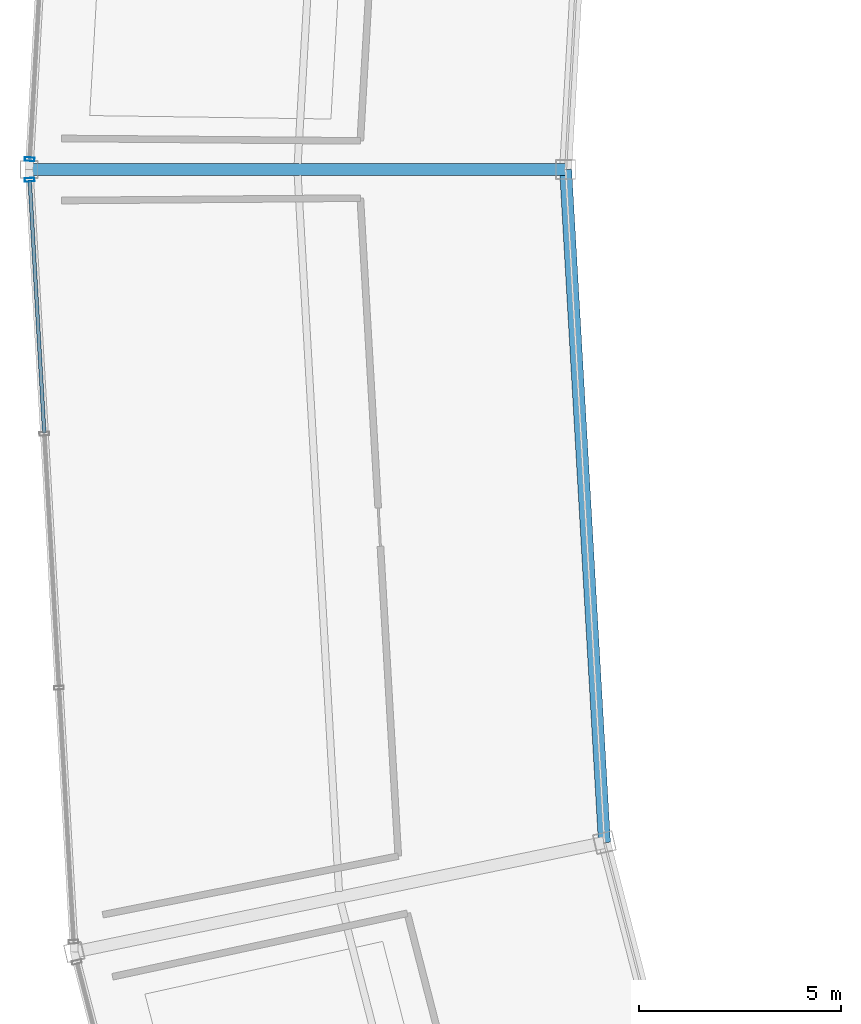
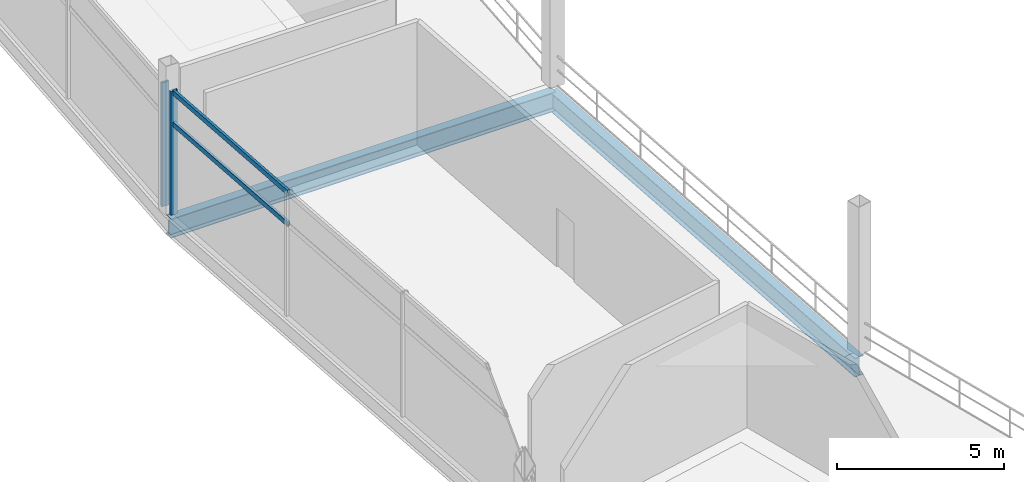
# One storey, part 36 of 103: 4 members, 2 beams, 2 elements without a shape of their own.
"""IFC4 building model written with IfcOpenShell, lengths in metres."""

from ifc_helpers import new_model, si_unit, direction, frame, origin, origin_2d, place, context, subcontext, project, spatial, hollow_rectangle, i_section, extrude, material, layer, layer_set, material_profile, profile_set, type_object, element, aggregate, save


model = new_model("IFC4")

# Units and contexts
model_context = context("Model", 3, precision=1e-05, world=origin(), true_north=direction((0.0, 1.0)))
body_context = subcontext(model_context, "Body", "Model", "MODEL_VIEW")
ifc_project = project(units=[si_unit("LENGTHUNIT", "METRE"), si_unit("AREAUNIT", "SQUARE_METRE"), si_unit("VOLUMEUNIT", "CUBIC_METRE"), si_unit("PLANEANGLEUNIT", "RADIAN"), si_unit("MASSUNIT", "GRAM", prefix="KILO")], contexts=[model_context])

# Site, building, storey
site_placement = place(None, origin())
site = spatial("IfcSite", under=ifc_project, at=site_placement, CompositionType="ELEMENT")
building_placement = place(site_placement, origin())
building = spatial("IfcBuilding", under=site, at=building_placement, Name="Kazemori Nagisa Stadium", CompositionType="ELEMENT")
storey_placement = place(building_placement, frame((0.0, 0.0, 25.840087890625)))
storey = spatial("IfcBuildingStorey", under=building, at=storey_placement, Name="L05", CompositionType="ELEMENT", Elevation=25.840087890625)

# Beams
ifc_material_1 = material(Name="Steel SN490B", Category="steel")
ifc_material_profile_1 = material_profile(ifc_material_1, i_section(OverallWidth=0.300048828125, OverallDepth=0.699951171875, WebThickness=0.012939453125, FlangeThickness=0.02392578125, FilletRadius=0.01806640625, at=origin_2d()), Name="H-700x300x13x24")
ifc_profile_set_1 = profile_set([ifc_material_profile_1], Name="Steel SN490B")
beam_type = type_object("IfcBeamType", Name="Beam_BG-H700", PredefinedType="BEAM", material=ifc_profile_set_1)
beam_1_placement = place(storey_placement, frame((41.300048828125, 102.0, -0.610107421875), z_axis=(0.057594854854, -0.998340038611, 0.0), x_axis=(0.998340038611, 0.057594854854, 0.0)))
element("IfcBeam", 1, at=beam_1_placement, inside=storey, type_object=beam_type, Name="Ring girder BG-H700 L05 R2-15", PredefinedType="BEAM", context=body_context, shape_type="SweptSolid", body=[
    extrude(i_section(OverallWidth=0.300048828125, OverallDepth=0.699951171875, WebThickness=0.012939453125, FlangeThickness=0.02392578125, FilletRadius=0.01806640625, at=origin_2d()), origin(), (0.0, 0.0, 1.0), 16.7099609375),
])
beam_2_placement = place(storey_placement, frame((41.300048828125, 102.0, -0.610107421875), z_axis=(-1.0, 0.0, 0.0), x_axis=(0.0, -1.0, 0.0)))
element("IfcBeam", 2, at=beam_2_placement, inside=storey, type_object=beam_type, Name="Radial girder BG-H700 L05 R2-R3-15", PredefinedType="BEAM", context=body_context, shape_type="SweptSolid", body=[
    extrude(i_section(OverallWidth=0.300048828125, OverallDepth=0.699951171875, WebThickness=0.012939453125, FlangeThickness=0.02392578125, FilletRadius=0.01806640625, at=origin_2d()), origin(), (0.0, 0.0, 1.0), 13.300048828125),
])

# Curtain wall, member
ifc_material_2 = material(Name="Anodised aluminium 6063-T5", Category="aluminium")
ifc_layer = layer(ifc_material_2, 0.239990234375, Name="Anodised aluminium 6063-T5", Category="aluminium")
ifc_layer_set = layer_set([ifc_layer], Name="Anodised aluminium 6063-T5")
curtain_wall_type = type_object("IfcCurtainWallType", Name="CW_L05R3_95", PredefinedType="USERDEFINED", material=ifc_layer_set)
curtain_wall_1_placement = place(storey_placement, origin())
curtain_wall_1 = element("IfcCurtainWall", 3, at=curtain_wall_1_placement, inside=storey, type_object=curtain_wall_type, Name="Unitised curtain wall CW-L05R3-95 L05", ObjectType="UNITISED CURTAIN WALL", PredefinedType="USERDEFINED")
ifc_material_3 = material(Name="Aluminium 6063-T5 anodised", Category="aluminium")
ifc_material_profile_2 = material_profile(ifc_material_3, hollow_rectangle(XDim=0.090087890625, YDim=0.239990234375, WallThickness=0.0048828125, at=origin_2d()), Name="ALU-MULL-90x240x5")
ifc_profile_set_2 = profile_set([ifc_material_profile_2], Name="Aluminium 6063-T5 anodised")
member_type_1 = type_object("IfcMemberType", Name="Mullion_M03", PredefinedType="MULLION", material=ifc_profile_set_2)
member_1_placement = place(storey_placement, frame((28.0146484375, 102.254638671875, 0.0), z_axis=(0.0, 0.0, 1.0), x_axis=(-0.057601670941, -0.998339645364, 0.0)))
member_1 = element("IfcMember", 4, at=member_1_placement, type_object=member_type_1, Name="Curtain wall mullion CW-L05R3-95-M4", PredefinedType="MULLION", context=body_context, shape_type="SweptSolid", body=[
    extrude(hollow_rectangle(XDim=0.090087890625, YDim=0.239990234375, WallThickness=0.0048828125, at=origin_2d()), origin(), (0.0, 0.0, 1.0), 4.530029296875),
])
aggregate(curtain_wall_1, [member_1])

# Curtain wall, members
curtain_wall_2_placement = place(storey_placement, origin())
curtain_wall_2 = element("IfcCurtainWall", 5, at=curtain_wall_2_placement, inside=storey, type_object=curtain_wall_type, Name="Unitised curtain wall CW-L05R3-95 L05", ObjectType="UNITISED CURTAIN WALL", PredefinedType="USERDEFINED")
member_2_placement = place(storey_placement, frame((28.0146484375, 101.745361328125, 0.0), z_axis=(0.0, 0.0, 1.0), x_axis=(0.057601670941, -0.998339645364, 0.0)))
member_2 = element("IfcMember", 6, at=member_2_placement, type_object=member_type_1, Name="Curtain wall mullion CW-L05R3-95-M1", PredefinedType="MULLION", context=body_context, shape_type="SweptSolid", body=[
    extrude(hollow_rectangle(XDim=0.090087890625, YDim=0.239990234375, WallThickness=0.0048828125, at=origin_2d()), origin(), (0.0, 0.0, 1.0), 4.530029296875),
])
ifc_material_profile_3 = material_profile(ifc_material_3, hollow_rectangle(XDim=0.090087890625, YDim=0.179931640625, WallThickness=0.0048828125, at=origin_2d()), Name="ALU-TRAN-90x180x5")
ifc_profile_set_3 = profile_set([ifc_material_profile_3], Name="Aluminium 6063-T5 anodised")
member_type_2 = type_object("IfcMemberType", Name="Transom_T03", PredefinedType="USERDEFINED", material=ifc_profile_set_3)
member_3_placement = place(storey_placement, frame((28.015869140625, 101.725341796875, 3.306884765625), z_axis=(0.057582347061, -0.998340760115, 0.0), x_axis=(0.998340760115, 0.057582347061, 0.0)))
member_3 = element("IfcMember", 7, at=member_3_placement, type_object=member_type_2, Name="Curtain wall transom CW-L05R3-95-T1-mid", ObjectType="TRANSOM", PredefinedType="USERDEFINED", context=body_context, shape_type="SweptSolid", body=[
    extrude(hollow_rectangle(XDim=0.090087890625, YDim=0.179931640625, WallThickness=0.0048828125, at=origin_2d()), origin(), (0.0, 0.0, 1.0), 6.2666015625),
])
member_4_placement = place(storey_placement, frame((28.015869140625, 101.725341796875, 4.4599609375), z_axis=(0.057582347061, -0.998340760115, 0.0), x_axis=(0.998340760115, 0.057582347061, 0.0)))
member_4 = element("IfcMember", 8, at=member_4_placement, type_object=member_type_2, Name="Curtain wall transom CW-L05R3-95-T1-head", ObjectType="TRANSOM", PredefinedType="USERDEFINED", context=body_context, shape_type="SweptSolid", body=[
    extrude(hollow_rectangle(XDim=0.090087890625, YDim=0.179931640625, WallThickness=0.0048828125, at=origin_2d()), origin(), (0.0, 0.0, 1.0), 6.2666015625),
])
aggregate(curtain_wall_2, [member_2, member_3, member_4])

save(model, "model.ifc")
